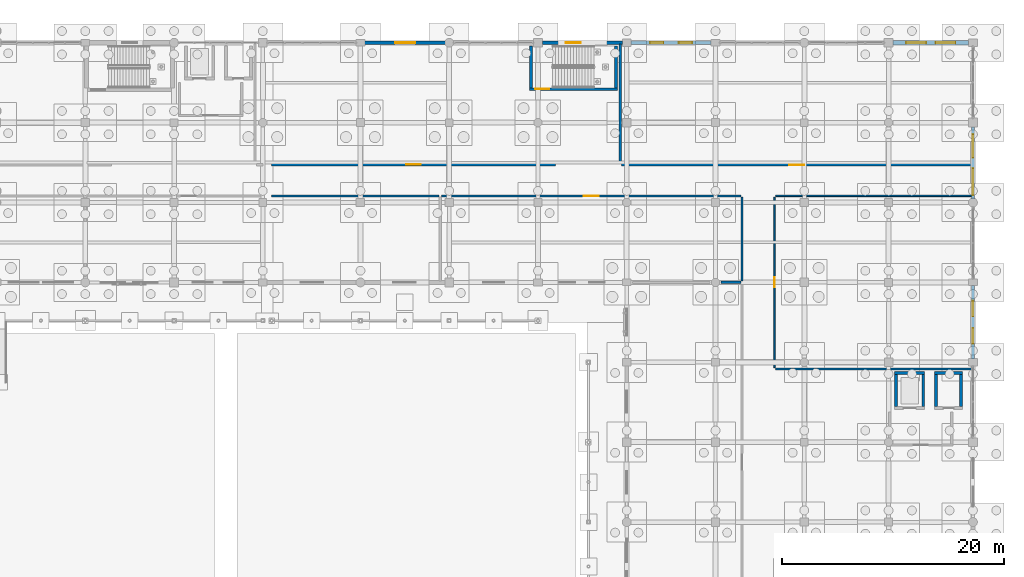
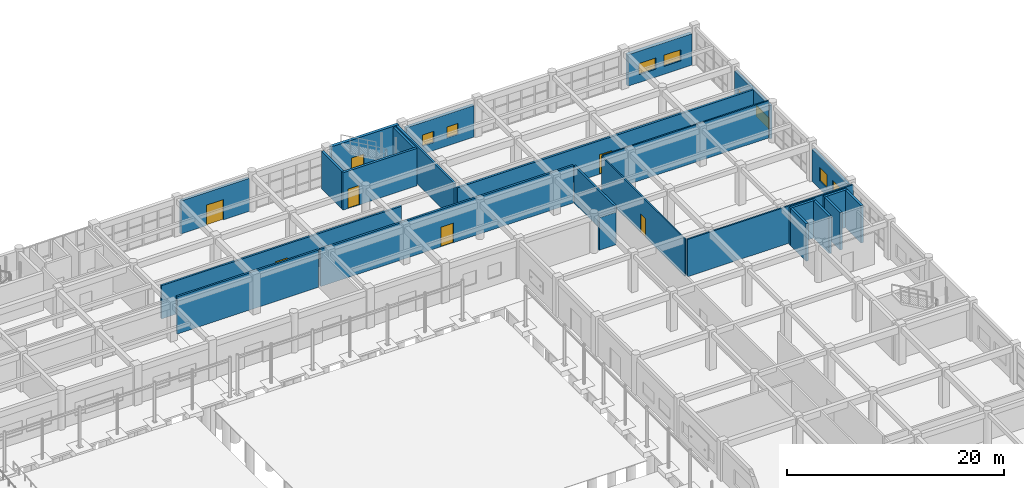
# One storey, part 141 of 166: 25 walls, 8 windows, 7 doors, 15 openings.
"""IFC4 building model written with IfcOpenShell, lengths in metres."""

from ifc_helpers import new_model, si_unit, direction, frame, frame_2d, origin, place, context, subcontext, project, spatial, rectangle, extrude, material, layer, layer_set, type_object, element, fill, save


model = new_model("IFC4")

# Units and contexts
model_context = context("Model", 3, precision=1e-05, world=origin(), true_north=direction((0.0, 1.0)))
body_context = subcontext(model_context, "Body", "Model", "MODEL_VIEW")
ifc_project = project(units=[si_unit("LENGTHUNIT", "METRE"), si_unit("AREAUNIT", "SQUARE_METRE"), si_unit("VOLUMEUNIT", "CUBIC_METRE"), si_unit("PLANEANGLEUNIT", "RADIAN"), si_unit("MASSUNIT", "GRAM", prefix="KILO")], contexts=[model_context])

# Site, building, storey
site_placement = place(None, origin())
site = spatial("IfcSite", under=ifc_project, at=site_placement, CompositionType="ELEMENT")
building_placement = place(site_placement, origin())
building = spatial("IfcBuilding", under=site, at=building_placement, Name="Kharva Crest Polytechnic", CompositionType="ELEMENT")
storey_placement = place(building_placement, origin())
storey = spatial("IfcBuildingStorey", under=building, at=storey_placement, Name="L00", CompositionType="ELEMENT", Elevation=0.0)

# Wall, openings, windows
ifc_material_1 = material(Name="Kiln brick masonry", Category="masonry")
ifc_layer_1 = layer(ifc_material_1, 0.260009765625, Name="Kiln brick masonry")
ifc_layer_set_1 = layer_set([ifc_layer_1], Name="Kiln brick masonry")
wall_type_1 = type_object("IfcWallType", Name="WL-EXT-BRK-260", PredefinedType="SOLIDWALL", material=ifc_layer_set_1)
wall_1_placement = place(storey_placement, frame((184.0, 107.93603515625, 0.0), z_axis=(0.0, 0.0, 1.0), x_axis=(0.0, 1.0, 0.0)))
wall_1 = element("IfcWall", 1, at=wall_1_placement, inside=storey, type_object=wall_type_1, Name="L00 Exterior Brick Wall 108", PredefinedType="SOLIDWALL", context=body_context, shape_type="SweptSolid", body=[
    extrude(rectangle(XDim=6.468994140625, YDim=0.260009765625, at=frame_2d((3.234375, 0.0))), origin(), (0.0, 0.0, 1.0), 3.760009765625),
])
opening_1_placement = place(wall_1_placement, frame((0.33203125, 0.0, 0.89990234375)))
opening_1 = element("IfcOpeningElement", 2, at=opening_1_placement, cuts=wall_1, Name="Opening W17", PredefinedType="OPENING", context=body_context, shape_type="SweptSolid", body=[
    extrude(rectangle(XDim=2.39990234375, YDim=1.25, at=frame_2d((1.199951171875, 0.625))), frame((0.0, 0.139892578125, 0.0), z_axis=(0.0, -1.0, 0.0), x_axis=(1.0, 0.0, 0.0)), (0.0, 0.0, 1.0), 0.280029296875),
])
opening_2_placement = place(wall_1_placement, frame((3.716064453125, 0.0, 0.89990234375)))
opening_2 = element("IfcOpeningElement", 3, at=opening_2_placement, cuts=wall_1, Name="Opening W18", PredefinedType="OPENING", context=body_context, shape_type="SweptSolid", body=[
    extrude(rectangle(XDim=2.10009765625, YDim=1.25, at=frame_2d((1.050048828125, 0.625))), frame((0.0, 0.139892578125, 0.0), z_axis=(0.0, -1.0, 0.0), x_axis=(1.0, 0.0, 0.0)), (0.0, 0.0, 1.0), 0.280029296875),
])
ifc_material_2 = material(Name="Anodised aluminium", Category="aluminium")
window_type_1 = type_object("IfcWindowType", Name="WIN-ALU-2100X1250", PartitioningType="SINGLE_PANEL", PredefinedType="WINDOW", material=ifc_material_2)
window_1_placement = place(opening_2_placement, origin())
window_1 = element("IfcWindow", 4, at=window_1_placement, inside=storey, type_object=window_type_1, Name="L00 Exterior Window 137", OverallHeight=1.25, OverallWidth=2.10009765625, PartitioningType="SINGLE_PANEL", PredefinedType="WINDOW", context=body_context, shape_type="SweptSolid", body=[
    extrude(rectangle(XDim=2.10009765625, YDim=1.25, at=frame_2d((1.050048828125, 0.625))), frame((0.0, 0.030029296875, 0.0), z_axis=(0.0, -1.0, 0.0), x_axis=(1.0, 0.0, 0.0)), (0.0, 0.0, 1.0), 0.06005859375),
])
fill(opening_2, window_1)
window_type_2 = type_object("IfcWindowType", Name="WIN-ALU-2400X1250", PartitioningType="SINGLE_PANEL", PredefinedType="WINDOW", material=ifc_material_2)
window_2_placement = place(opening_1_placement, origin())
window_2 = element("IfcWindow", 5, at=window_2_placement, inside=storey, type_object=window_type_2, Name="L00 Exterior Window 136", OverallHeight=1.25, OverallWidth=2.39990234375, PartitioningType="SINGLE_PANEL", PredefinedType="WINDOW", context=body_context, shape_type="SweptSolid", body=[
    extrude(rectangle(XDim=2.39990234375, YDim=1.25, at=frame_2d((1.199951171875, 0.625))), frame((0.0, 0.030029296875, 0.0), z_axis=(0.0, -1.0, 0.0), x_axis=(1.0, 0.0, 0.0)), (0.0, 0.0, 1.0), 0.06005859375),
])
fill(opening_1, window_2)

# Wall, opening, door
ifc_layer_2 = layer(ifc_material_1, 0.27490234375, Name="Kiln brick masonry")
ifc_layer_set_2 = layer_set([ifc_layer_2], Name="Kiln brick masonry")
wall_type_2 = type_object("IfcWallType", Name="WL-EXT-BRK-275", PredefinedType="SOLIDWALL", material=ifc_layer_set_2)
wall_2_placement = place(storey_placement, frame((136.464111328125, 122.0, 0.0), z_axis=(0.0, 0.0, 1.0), x_axis=(-1.0, 0.0, 0.0)))
wall_2 = element("IfcWall", 6, at=wall_2_placement, inside=storey, type_object=wall_type_2, Name="L00 Exterior Brick Wall 112", PredefinedType="SOLIDWALL", context=body_context, shape_type="SweptSolid", body=[
    extrude(rectangle(XDim=7.279052734375, YDim=0.27490234375, at=frame_2d((3.6396484375, 0.0))), origin(), (0.0, 0.0, 1.0), 3.719970703125),
])
opening_3_placement = place(wall_2_placement, frame((2.739013671875, 0.0, 0.0)))
opening_3 = element("IfcOpeningElement", 7, at=opening_3_placement, cuts=wall_2, Name="Opening ED4", PredefinedType="OPENING", context=body_context, shape_type="SweptSolid", body=[
    extrude(rectangle(XDim=1.800048828125, YDim=2.300048828125, at=frame_2d((0.89990234375, 1.14990234375))), frame((0.0, 0.1474609375, 0.0), z_axis=(0.0, -1.0, 0.0), x_axis=(1.0, 0.0, 0.0)), (0.0, 0.0, 1.0), 0.294921875),
])
door_type_1 = type_object("IfcDoorType", Name="DR-EXT-DBL-1800X2300", OperationType="NOTDEFINED", PredefinedType="DOOR", material=ifc_material_2)
door_1_placement = place(opening_3_placement, frame((1.800048828125, 0.0, 0.0), z_axis=(0.0, 0.0, 1.0), x_axis=(-1.0, 0.0, 0.0)))
door_1 = element("IfcDoor", 8, at=door_1_placement, inside=storey, type_object=door_type_1, Name="L00 Campus Entrance Door 27", OperationType="DOUBLE_DOOR_SINGLE_SWING", OverallHeight=2.300048828125, OverallWidth=1.800048828125, PredefinedType="DOOR", context=body_context, shape_type="SweptSolid", body=[
    extrude(rectangle(XDim=1.800048828125, YDim=2.300048828125, at=frame_2d((0.89990234375, 1.14990234375))), frame((0.0, 0.02490234375, 0.0), z_axis=(0.0, -1.0, 0.0), x_axis=(1.0, 0.0, 0.0)), (0.0, 0.0, 1.0), 0.050048828125),
])
fill(opening_3, door_1)

# Wall, openings, windows
ifc_layer_3 = layer(ifc_material_1, 0.2900390625, Name="Kiln brick masonry")
ifc_layer_set_3 = layer_set([ifc_layer_3], Name="Kiln brick masonry")
wall_type_3 = type_object("IfcWallType", Name="WL-EXT-BRK-290", PredefinedType="SOLIDWALL", material=ifc_layer_set_3)
wall_3_placement = place(storey_placement, frame((184.0, 93.52001953125, 0.0), z_axis=(0.0, 0.0, 1.0), x_axis=(0.0, 1.0, 0.0)))
wall_3 = element("IfcWall", 9, at=wall_3_placement, inside=storey, type_object=wall_type_3, Name="L00 Exterior Brick Wall 107", PredefinedType="SOLIDWALL", context=body_context, shape_type="SweptSolid", body=[
    extrude(rectangle(XDim=6.5849609375, YDim=0.2900390625, at=frame_2d((3.29248046875, 0.0))), origin(), (0.0, 0.0, 1.0), 3.639892578125),
])
opening_4_placement = place(wall_3_placement, frame((1.367919921875, 0.0, 0.89990234375)))
opening_4 = element("IfcOpeningElement", 10, at=opening_4_placement, cuts=wall_3, Name="Opening W15", PredefinedType="OPENING", context=body_context, shape_type="SweptSolid", body=[
    extrude(rectangle(XDim=1.39990234375, YDim=1.5, at=frame_2d((0.699951171875, 0.75))), frame((0.0, 0.155029296875, 0.0), z_axis=(0.0, -1.0, 0.0), x_axis=(1.0, 0.0, 0.0)), (0.0, 0.0, 1.0), 0.31005859375),
])
opening_5_placement = place(wall_3_placement, frame((3.81689453125, 0.0, 0.89990234375)))
opening_5 = element("IfcOpeningElement", 11, at=opening_5_placement, cuts=wall_3, Name="Opening W15", PredefinedType="OPENING", context=body_context, shape_type="SweptSolid", body=[
    extrude(rectangle(XDim=1.39990234375, YDim=1.5, at=frame_2d((0.699951171875, 0.75))), frame((0.0, 0.155029296875, 0.0), z_axis=(0.0, -1.0, 0.0), x_axis=(1.0, 0.0, 0.0)), (0.0, 0.0, 1.0), 0.31005859375),
])
window_type_3 = type_object("IfcWindowType", Name="WIN-ALU-1400X1500", PartitioningType="SINGLE_PANEL", PredefinedType="WINDOW", material=ifc_material_2)
window_3_placement = place(opening_4_placement, origin())
window_3 = element("IfcWindow", 12, at=window_3_placement, inside=storey, type_object=window_type_3, Name="L00 Exterior Window 134", OverallHeight=1.5, OverallWidth=1.39990234375, PartitioningType="SINGLE_PANEL", PredefinedType="WINDOW", context=body_context, shape_type="SweptSolid", body=[
    extrude(rectangle(XDim=1.39990234375, YDim=1.5, at=frame_2d((0.699951171875, 0.75))), frame((0.0, 0.030029296875, 0.0), z_axis=(0.0, -1.0, 0.0), x_axis=(1.0, 0.0, 0.0)), (0.0, 0.0, 1.0), 0.06005859375),
])
fill(opening_4, window_3)
window_4_placement = place(opening_5_placement, origin())
window_4 = element("IfcWindow", 13, at=window_4_placement, inside=storey, type_object=window_type_3, Name="L00 Exterior Window 135", OverallHeight=1.5, OverallWidth=1.39990234375, PartitioningType="SINGLE_PANEL", PredefinedType="WINDOW", context=body_context, shape_type="SweptSolid", body=[
    extrude(rectangle(XDim=1.39990234375, YDim=1.5, at=frame_2d((0.699951171875, 0.75))), frame((0.0, 0.030029296875, 0.0), z_axis=(0.0, -1.0, 0.0), x_axis=(1.0, 0.0, 0.0)), (0.0, 0.0, 1.0), 0.06005859375),
])
fill(opening_5, window_4)

# Wall, opening, door
ifc_layer_4 = layer(ifc_material_1, 0.304931640625, Name="Kiln brick masonry")
ifc_layer_set_4 = layer_set([ifc_layer_4], Name="Kiln brick masonry")
wall_type_4 = type_object("IfcWallType", Name="WL-EXT-BRK-305", PredefinedType="SOLIDWALL", material=ifc_layer_set_4)
wall_4_placement = place(storey_placement, frame((152.405029296875, 122.0, 0.0), z_axis=(0.0, 0.0, 1.0), x_axis=(-1.0, 0.0, 0.0)))
wall_4 = element("IfcWall", 14, at=wall_4_placement, inside=storey, type_object=wall_type_4, Name="L00 Exterior Brick Wall 111", PredefinedType="SOLIDWALL", context=body_context, shape_type="SweptSolid", body=[
    extrude(rectangle(XDim=7.2099609375, YDim=0.304931640625, at=frame_2d((3.60498046875, 0.0))), origin(), (0.0, 0.0, 1.0), 4.219970703125),
])
opening_6_placement = place(wall_4_placement, frame((3.72998046875, 0.0, 0.0)))
opening_6 = element("IfcOpeningElement", 15, at=opening_6_placement, cuts=wall_4, Name="Opening ED6", PredefinedType="OPENING", context=body_context, shape_type="SweptSolid", body=[
    extrude(rectangle(XDim=1.35009765625, YDim=2.199951171875, at=frame_2d((0.675048828125, 1.10009765625))), frame((0.0, 0.162353515625, 0.0), z_axis=(0.0, -1.0, 0.0), x_axis=(1.0, 0.0, 0.0)), (0.0, 0.0, 1.0), 0.324951171875),
])
door_type_2 = type_object("IfcDoorType", Name="DR-EXT-ESC-1350X2200", OperationType="NOTDEFINED", PredefinedType="DOOR", material=ifc_material_2)
door_2_placement = place(opening_6_placement, frame((1.35009765625, 0.0, 0.0), z_axis=(0.0, 0.0, 1.0), x_axis=(-1.0, 0.0, 0.0)))
door_2 = element("IfcDoor", 16, at=door_2_placement, inside=storey, type_object=door_type_2, Name="L00 Core C9 Final Exit Door", OperationType="SINGLE_SWING_RIGHT", OverallHeight=2.199951171875, OverallWidth=1.35009765625, PredefinedType="DOOR", context=body_context, shape_type="SweptSolid", body=[
    extrude(rectangle(XDim=1.35009765625, YDim=2.199951171875, at=frame_2d((0.675048828125, 1.10009765625))), frame((0.0, 0.02490234375, 0.0), z_axis=(0.0, -1.0, 0.0), x_axis=(1.0, 0.0, 0.0)), (0.0, 0.0, 1.0), 0.050048828125),
])
fill(opening_6, door_2)

# Wall, openings, windows
ifc_layer_5 = layer(ifc_material_1, 0.320068359375, Name="Kiln brick masonry")
ifc_layer_set_5 = layer_set([ifc_layer_5], Name="Kiln brick masonry")
wall_type_5 = type_object("IfcWallType", Name="WL-EXT-BRK-320", PredefinedType="SOLIDWALL", material=ifc_layer_set_5)
wall_5_placement = place(storey_placement, frame((160.4150390625, 122.0, 0.0), z_axis=(0.0, 0.0, 1.0), x_axis=(-1.0, 0.0, 0.0)))
wall_5 = element("IfcWall", 17, at=wall_5_placement, inside=storey, type_object=wall_type_5, Name="L00 Exterior Brick Wall 110", PredefinedType="SOLIDWALL", context=body_context, shape_type="SweptSolid", body=[
    extrude(rectangle(XDim=7.219970703125, YDim=0.320068359375, at=frame_2d((3.60986328125, 0.0))), origin(), (0.0, 0.0, 1.0), 3.570068359375),
])
opening_7_placement = place(wall_5_placement, frame((1.712890625, 0.0, 0.89990234375)))
opening_7 = element("IfcOpeningElement", 18, at=opening_7_placement, cuts=wall_5, Name="Opening W21", PredefinedType="OPENING", context=body_context, shape_type="SweptSolid", body=[
    extrude(rectangle(XDim=1.199951171875, YDim=1.25, at=frame_2d((0.60009765625, 0.625))), frame((0.0, 0.169921875, 0.0), z_axis=(0.0, -1.0, 0.0), x_axis=(1.0, 0.0, 0.0)), (0.0, 0.0, 1.0), 0.340087890625),
])
opening_8_placement = place(wall_5_placement, frame((4.306884765625, 0.0, 0.89990234375)))
opening_8 = element("IfcOpeningElement", 19, at=opening_8_placement, cuts=wall_5, Name="Opening W21", PredefinedType="OPENING", context=body_context, shape_type="SweptSolid", body=[
    extrude(rectangle(XDim=1.199951171875, YDim=1.25, at=frame_2d((0.60009765625, 0.625))), frame((0.0, 0.169921875, 0.0), z_axis=(0.0, -1.0, 0.0), x_axis=(1.0, 0.0, 0.0)), (0.0, 0.0, 1.0), 0.340087890625),
])
window_type_4 = type_object("IfcWindowType", Name="WIN-ALU-1200X1250", PartitioningType="SINGLE_PANEL", PredefinedType="WINDOW", material=ifc_material_2)
window_5_placement = place(opening_7_placement, origin())
window_5 = element("IfcWindow", 20, at=window_5_placement, inside=storey, type_object=window_type_4, Name="L00 Exterior Window 140", OverallHeight=1.25, OverallWidth=1.199951171875, PartitioningType="SINGLE_PANEL", PredefinedType="WINDOW", context=body_context, shape_type="SweptSolid", body=[
    extrude(rectangle(XDim=1.199951171875, YDim=1.25, at=frame_2d((0.60009765625, 0.625))), frame((0.0, 0.030029296875, 0.0), z_axis=(0.0, -1.0, 0.0), x_axis=(1.0, 0.0, 0.0)), (0.0, 0.0, 1.0), 0.06005859375),
])
fill(opening_7, window_5)
window_6_placement = place(opening_8_placement, origin())
window_6 = element("IfcWindow", 21, at=window_6_placement, inside=storey, type_object=window_type_4, Name="L00 Exterior Window 141", OverallHeight=1.25, OverallWidth=1.199951171875, PartitioningType="SINGLE_PANEL", PredefinedType="WINDOW", context=body_context, shape_type="SweptSolid", body=[
    extrude(rectangle(XDim=1.199951171875, YDim=1.25, at=frame_2d((0.60009765625, 0.625))), frame((0.0, 0.030029296875, 0.0), z_axis=(0.0, -1.0, 0.0), x_axis=(1.0, 0.0, 0.0)), (0.0, 0.0, 1.0), 0.06005859375),
])
fill(opening_8, window_6)

ifc_layer_6 = layer(ifc_material_1, 0.364990234375, Name="Kiln brick masonry")
ifc_layer_set_6 = layer_set([ifc_layer_6], Name="Kiln brick masonry")
wall_type_6 = type_object("IfcWallType", Name="WL-EXT-BRK-365", PredefinedType="SOLIDWALL", material=ifc_layer_set_6)
wall_6_placement = place(storey_placement, frame((183.60498046875, 122.0, 0.0), z_axis=(0.0, 0.0, 1.0), x_axis=(-1.0, 0.0, 0.0)))
wall_6 = element("IfcWall", 22, at=wall_6_placement, inside=storey, type_object=wall_type_6, Name="L00 Exterior Brick Wall 109", PredefinedType="SOLIDWALL", context=body_context, shape_type="SweptSolid", body=[
    extrude(rectangle(XDim=6.81005859375, YDim=0.364990234375, at=frame_2d((3.405029296875, 0.0))), origin(), (0.0, 0.0, 1.0), 3.5400390625),
])
opening_9_placement = place(wall_6_placement, frame((1.177001953125, 0.0, 0.89990234375)))
opening_9 = element("IfcOpeningElement", 23, at=opening_9_placement, cuts=wall_6, Name="Opening W19", PredefinedType="OPENING", context=body_context, shape_type="SweptSolid", body=[
    extrude(rectangle(XDim=1.800048828125, YDim=1.25, at=frame_2d((0.89990234375, 0.625))), frame((0.0, 0.1923828125, 0.0), z_axis=(0.0, -1.0, 0.0), x_axis=(1.0, 0.0, 0.0)), (0.0, 0.0, 1.0), 0.385009765625),
])
opening_10_placement = place(wall_6_placement, frame((3.8330078125, 0.0, 0.89990234375)))
opening_10 = element("IfcOpeningElement", 24, at=opening_10_placement, cuts=wall_6, Name="Opening W19", PredefinedType="OPENING", context=body_context, shape_type="SweptSolid", body=[
    extrude(rectangle(XDim=1.800048828125, YDim=1.25, at=frame_2d((0.89990234375, 0.625))), frame((0.0, 0.1923828125, 0.0), z_axis=(0.0, -1.0, 0.0), x_axis=(1.0, 0.0, 0.0)), (0.0, 0.0, 1.0), 0.385009765625),
])
window_type_5 = type_object("IfcWindowType", Name="WIN-ALU-1800X1250", PartitioningType="SINGLE_PANEL", PredefinedType="WINDOW", material=ifc_material_2)
window_7_placement = place(opening_9_placement, origin())
window_7 = element("IfcWindow", 25, at=window_7_placement, inside=storey, type_object=window_type_5, Name="L00 Exterior Window 138", OverallHeight=1.25, OverallWidth=1.800048828125, PartitioningType="SINGLE_PANEL", PredefinedType="WINDOW", context=body_context, shape_type="SweptSolid", body=[
    extrude(rectangle(XDim=1.800048828125, YDim=1.25, at=frame_2d((0.89990234375, 0.625))), frame((0.0, 0.030029296875, 0.0), z_axis=(0.0, -1.0, 0.0), x_axis=(1.0, 0.0, 0.0)), (0.0, 0.0, 1.0), 0.06005859375),
])
fill(opening_9, window_7)
window_8_placement = place(opening_10_placement, origin())
window_8 = element("IfcWindow", 26, at=window_8_placement, inside=storey, type_object=window_type_5, Name="L00 Exterior Window 139", OverallHeight=1.25, OverallWidth=1.800048828125, PartitioningType="SINGLE_PANEL", PredefinedType="WINDOW", context=body_context, shape_type="SweptSolid", body=[
    extrude(rectangle(XDim=1.800048828125, YDim=1.25, at=frame_2d((0.89990234375, 0.625))), frame((0.0, 0.030029296875, 0.0), z_axis=(0.0, -1.0, 0.0), x_axis=(1.0, 0.0, 0.0)), (0.0, 0.0, 1.0), 0.06005859375),
])
fill(opening_10, window_8)

# Wall
ifc_layer_7 = layer(ifc_material_1, 0.199951171875, Name="Kiln brick masonry")
ifc_layer_set_7 = layer_set([ifc_layer_7], Name="Kiln brick masonry")
wall_type_7 = type_object("IfcWallType", Name="WL-FIRE-FW1-200", PredefinedType="SOLIDWALL", material=ifc_layer_set_7)
wall_7_placement = place(storey_placement, frame((120.800048828125, 108.18994140625, 0.0), z_axis=(0.0, 0.0, 1.0), x_axis=(1.0, 0.0, 0.0)))
element("IfcWall", 27, at=wall_7_placement, inside=storey, type_object=wall_type_7, Name="L00 Interior Partition 93 E", PredefinedType="SOLIDWALL", context=body_context, shape_type="SweptSolid", body=[
    extrude(rectangle(XDim=15.08984375, YDim=0.199951171875, at=frame_2d((7.544921875, 0.0))), origin(), (0.0, 0.0, 1.0), 4.199951171875),
])

# Wall, opening, door
wall_8_placement = place(storey_placement, frame((120.800048828125, 111.010009765625, 0.0), z_axis=(0.0, 0.0, 1.0), x_axis=(1.0, 0.0, 0.0)))
wall_8 = element("IfcWall", 28, at=wall_8_placement, inside=storey, type_object=wall_type_7, Name="L00 Interior Partition 102 E", PredefinedType="SOLIDWALL", context=body_context, shape_type="SweptSolid", body=[
    extrude(rectangle(XDim=25.579833984375, YDim=0.199951171875, at=frame_2d((12.7900390625, 0.0))), origin(), (0.0, 0.0, 1.0), 3.760009765625),
])
opening_11_placement = place(wall_8_placement, frame((12.14990234375, 0.0, 0.0)))
opening_11 = element("IfcOpeningElement", 29, at=opening_11_placement, cuts=wall_8, Name="Opening ID7", PredefinedType="OPENING", context=body_context, shape_type="SweptSolid", body=[
    extrude(rectangle(XDim=1.280029296875, YDim=2.199951171875, at=frame_2d((0.64013671875, 1.10009765625))), frame((0.0, 0.10986328125, 0.0), z_axis=(0.0, -1.0, 0.0), x_axis=(1.0, 0.0, 0.0)), (0.0, 0.0, 1.0), 0.219970703125),
])
ifc_material_3 = material(Name="Teak timber", Category="wood")
door_type_3 = type_object("IfcDoorType", Name="DR-LAB-1280X2200", OperationType="NOTDEFINED", PredefinedType="DOOR", material=ifc_material_3)
door_3_placement = place(opening_11_placement, origin())
door_3 = element("IfcDoor", 30, at=door_3_placement, inside=storey, type_object=door_type_3, Name="L00 Environmental Water Quality Laboratory Door", OperationType="SINGLE_SWING_RIGHT", OverallHeight=2.199951171875, OverallWidth=1.280029296875, PredefinedType="DOOR", context=body_context, shape_type="SweptSolid", body=[
    extrude(rectangle(XDim=1.280029296875, YDim=2.199951171875, at=frame_2d((0.64013671875, 1.10009765625))), frame((0.0, 0.02490234375, 0.0), z_axis=(0.0, -1.0, 0.0), x_axis=(1.0, 0.0, 0.0)), (0.0, 0.0, 1.0), 0.050048828125),
])
fill(opening_11, door_3)

ifc_layer_8 = layer(ifc_material_1, 0.139892578125, Name="Kiln brick masonry")
ifc_layer_set_8 = layer_set([ifc_layer_8], Name="Kiln brick masonry")
wall_type_8 = type_object("IfcWallType", Name="WL-PART-140", PredefinedType="PARTITIONING", material=ifc_layer_set_8)
wall_9_placement = place(storey_placement, frame((166.110107421875, 92.7099609375, 0.0), z_axis=(0.0, 0.0, 1.0), x_axis=(0.0, 1.0, 0.0)))
wall_9 = element("IfcWall", 31, at=wall_9_placement, inside=storey, type_object=wall_type_8, Name="L00 Interior Partition 114", PredefinedType="PARTITIONING", context=body_context, shape_type="SweptSolid", body=[
    extrude(rectangle(XDim=15.380126953125, YDim=0.139892578125, at=frame_2d((7.68994140625, 0.0))), origin(), (0.0, 0.0, 1.0), 4.199951171875),
])
opening_12_placement = place(wall_9_placement, frame((7.235107421875, 0.0, 0.0)))
opening_12 = element("IfcOpeningElement", 32, at=opening_12_placement, cuts=wall_9, Name="Opening ID15", PredefinedType="OPENING", context=body_context, shape_type="SweptSolid", body=[
    extrude(rectangle(XDim=0.909912109375, YDim=2.10009765625, at=frame_2d((0.455078125, 1.050048828125))), frame((0.0, 0.079833984375, 0.0), z_axis=(0.0, -1.0, 0.0), x_axis=(1.0, 0.0, 0.0)), (0.0, 0.0, 1.0), 0.159912109375),
])
door_type_4 = type_object("IfcDoorType", Name="DR-WC-910X2100", OperationType="NOTDEFINED", PredefinedType="DOOR", material=ifc_material_3)
door_4_placement = place(opening_12_placement, origin())
door_4 = element("IfcDoor", 33, at=door_4_placement, inside=storey, type_object=door_type_4, Name="L00 East Wing Male Female and Accessible WC L00 Door", OperationType="SINGLE_SWING_RIGHT", OverallHeight=2.10009765625, OverallWidth=0.909912109375, PredefinedType="DOOR", context=body_context, shape_type="SweptSolid", body=[
    extrude(rectangle(XDim=0.909912109375, YDim=2.10009765625, at=frame_2d((0.455078125, 1.050048828125))), frame((0.0, 0.02490234375, 0.0), z_axis=(0.0, -1.0, 0.0), x_axis=(1.0, 0.0, 0.0)), (0.0, 0.0, 1.0), 0.050048828125),
])
fill(opening_12, door_4)

# Walls
ifc_layer_9 = layer(ifc_material_1, 0.14990234375, Name="Kiln brick masonry")
ifc_layer_set_9 = layer_set([ifc_layer_9], Name="Kiln brick masonry")
wall_type_9 = type_object("IfcWallType", Name="WL-PART-150", PredefinedType="PARTITIONING", material=ifc_layer_set_9)
wall_10_placement = place(storey_placement, frame((166.219970703125, 108.199951171875, 0.0), z_axis=(0.0, 0.0, 1.0), x_axis=(1.0, 0.0, 0.0)))
element("IfcWall", 34, at=wall_10_placement, inside=storey, type_object=wall_type_9, Name="L00 Interior Partition 113", PredefinedType="PARTITIONING", context=body_context, shape_type="SweptSolid", body=[
    extrude(rectangle(XDim=17.669921875, YDim=0.14990234375, at=frame_2d((8.8349609375, 0.0))), origin(), (0.0, 0.0, 1.0), 4.199951171875),
])
ifc_layer_10 = layer(ifc_material_1, 0.159912109375, Name="Kiln brick masonry")
ifc_layer_set_10 = layer_set([ifc_layer_10], Name="Kiln brick masonry")
wall_type_10 = type_object("IfcWallType", Name="WL-PART-160", PredefinedType="PARTITIONING", material=ifc_layer_set_10)
wall_11_placement = place(storey_placement, frame((166.219970703125, 92.60009765625, 0.0), z_axis=(0.0, 0.0, 1.0), x_axis=(1.0, 0.0, 0.0)))
element("IfcWall", 35, at=wall_11_placement, inside=storey, type_object=wall_type_10, Name="L00 Interior Partition 112", PredefinedType="PARTITIONING", context=body_context, shape_type="SweptSolid", body=[
    extrude(rectangle(XDim=17.669921875, YDim=0.159912109375, at=frame_2d((8.8349609375, 0.0))), origin(), (0.0, 0.0, 1.0), 4.199951171875),
])
ifc_layer_11 = layer(ifc_material_1, 0.205078125, Name="Kiln brick masonry")
ifc_layer_set_11 = layer_set([ifc_layer_11], Name="Kiln brick masonry")
wall_type_11 = type_object("IfcWallType", Name="WL-PART-205", PredefinedType="PARTITIONING", material=ifc_layer_set_11)
wall_12_placement = place(storey_placement, frame((163.18994140625, 100.510009765625, 0.0), z_axis=(0.0, 0.0, 1.0), x_axis=(0.0, 1.0, 0.0)))
element("IfcWall", 36, at=wall_12_placement, inside=storey, type_object=wall_type_11, Name="L00 Interior Partition 98", PredefinedType="PARTITIONING", context=body_context, shape_type="SweptSolid", body=[
    extrude(rectangle(XDim=7.570068359375, YDim=0.205078125, at=frame_2d((3.78515625, 0.0))), origin(), (0.0, 0.0, 1.0), 4.199951171875),
])

# Wall, opening, door
ifc_layer_12 = layer(ifc_material_1, 0.215087890625, Name="Kiln brick masonry")
ifc_layer_set_12 = layer_set([ifc_layer_12], Name="Kiln brick masonry")
wall_type_12 = type_object("IfcWallType", Name="WL-PART-215", PredefinedType="PARTITIONING", material=ifc_layer_set_12)
wall_13_placement = place(storey_placement, frame((136.1201171875, 108.18994140625, 0.0), z_axis=(0.0, 0.0, 1.0), x_axis=(1.0, 0.0, 0.0)))
wall_13 = element("IfcWall", 37, at=wall_13_placement, inside=storey, type_object=wall_type_12, Name="L00 Interior Partition 97", PredefinedType="PARTITIONING", context=body_context, shape_type="SweptSolid", body=[
    extrude(rectangle(XDim=26.9599609375, YDim=0.215087890625, at=frame_2d((13.47998046875, 0.0))), origin(), (0.0, 0.0, 1.0), 4.199951171875),
])
opening_13_placement = place(wall_13_placement, frame((12.804931640625, 0.0, 0.0)))
opening_13 = element("IfcOpeningElement", 38, at=opening_13_placement, cuts=wall_13, Name="Opening ID6", PredefinedType="OPENING", context=body_context, shape_type="SweptSolid", body=[
    extrude(rectangle(XDim=1.35009765625, YDim=2.199951171875, at=frame_2d((0.675048828125, 1.10009765625))), frame((0.0, 0.117431640625, 0.0), z_axis=(0.0, -1.0, 0.0), x_axis=(1.0, 0.0, 0.0)), (0.0, 0.0, 1.0), 0.235107421875),
])
door_type_5 = type_object("IfcDoorType", Name="DR-LAB-1350X2200", OperationType="NOTDEFINED", PredefinedType="DOOR", material=ifc_material_3)
door_5_placement = place(opening_13_placement, origin())
door_5 = element("IfcDoor", 39, at=door_5_placement, inside=storey, type_object=door_type_5, Name="L00 Surveying and Geomatics Laboratory Door", OperationType="SINGLE_SWING_LEFT", OverallHeight=2.199951171875, OverallWidth=1.35009765625, PredefinedType="DOOR", context=body_context, shape_type="SweptSolid", body=[
    extrude(rectangle(XDim=1.35009765625, YDim=2.199951171875, at=frame_2d((0.675048828125, 1.10009765625))), frame((0.0, 0.02490234375, 0.0), z_axis=(0.0, -1.0, 0.0), x_axis=(1.0, 0.0, 0.0)), (0.0, 0.0, 1.0), 0.050048828125),
])
fill(opening_13, door_5)

# Walls
wall_14_placement = place(storey_placement, frame((152.199951171875, 111.110107421875, 0.0), z_axis=(0.0, 0.0, 1.0), x_axis=(0.0, 1.0, 0.0)))
element("IfcWall", 40, at=wall_14_placement, inside=storey, type_object=wall_type_12, Name="L00 Interior Partition 105", PredefinedType="PARTITIONING", context=body_context, shape_type="SweptSolid", body=[
    extrude(rectangle(XDim=10.77978515625, YDim=0.215087890625, at=frame_2d((5.389892578125, 0.0))), origin(), (0.0, 0.0, 1.0), 4.199951171875),
])
ifc_layer_13 = layer(ifc_material_1, 0.22509765625, Name="Kiln brick masonry")
ifc_layer_set_13 = layer_set([ifc_layer_13], Name="Kiln brick masonry")
wall_type_13 = type_object("IfcWallType", Name="WL-PART-225", PredefinedType="PARTITIONING", material=ifc_layer_set_13)
wall_15_placement = place(storey_placement, frame((161.304931640625, 100.39990234375, 0.0), z_axis=(0.0, 0.0, 1.0), x_axis=(1.0, 0.0, 0.0)))
element("IfcWall", 41, at=wall_15_placement, inside=storey, type_object=wall_type_13, Name="L00 Interior Partition 96", PredefinedType="PARTITIONING", context=body_context, shape_type="SweptSolid", body=[
    extrude(rectangle(XDim=1.775146484375, YDim=0.22509765625, at=frame_2d((0.8876953125, 0.0))), origin(), (0.0, 0.0, 1.0), 3.669921875),
])

# Wall, opening, door
wall_16_placement = place(storey_placement, frame((152.31005859375, 111.0, 0.0), z_axis=(0.0, 0.0, 1.0), x_axis=(1.0, 0.0, 0.0)))
wall_16 = element("IfcWall", 42, at=wall_16_placement, inside=storey, type_object=wall_type_13, Name="L00 Interior Partition 104", PredefinedType="PARTITIONING", context=body_context, shape_type="SweptSolid", body=[
    extrude(rectangle(XDim=31.579833984375, YDim=0.22509765625, at=frame_2d((15.7900390625, 0.0))), origin(), (0.0, 0.0, 1.0), 3.760009765625),
])
opening_14_placement = place(wall_16_placement, frame((15.114990234375, 0.0, 0.0)))
opening_14 = element("IfcOpeningElement", 43, at=opening_14_placement, cuts=wall_16, Name="Opening ID6", PredefinedType="OPENING", context=body_context, shape_type="SweptSolid", body=[
    extrude(rectangle(XDim=1.35009765625, YDim=2.199951171875, at=frame_2d((0.675048828125, 1.10009765625))), frame((0.0, 0.12255859375, 0.0), z_axis=(0.0, -1.0, 0.0), x_axis=(1.0, 0.0, 0.0)), (0.0, 0.0, 1.0), 0.2451171875),
])
door_6_placement = place(opening_14_placement, origin())
door_6 = element("IfcDoor", 44, at=door_6_placement, inside=storey, type_object=door_type_5, Name="L00 Thermodynamics Engine Laboratory Door", OperationType="SINGLE_SWING_LEFT", OverallHeight=2.199951171875, OverallWidth=1.35009765625, PredefinedType="DOOR", context=body_context, shape_type="SweptSolid", body=[
    extrude(rectangle(XDim=1.35009765625, YDim=2.199951171875, at=frame_2d((0.675048828125, 1.10009765625))), frame((0.0, 0.02490234375, 0.0), z_axis=(0.0, -1.0, 0.0), x_axis=(1.0, 0.0, 0.0)), (0.0, 0.0, 1.0), 0.050048828125),
])
fill(opening_14, door_6)

# Walls
ifc_material_4 = material(Name="Concrete C40/50", Category="concrete")
ifc_layer_14 = layer(ifc_material_4, 0.25, Name="Concrete C40/50")
ifc_layer_set_14 = layer_set([ifc_layer_14], Name="Concrete C40/50")
wall_type_14 = type_object("IfcWallType", Name="WL-SHEAR-SW1-250", PredefinedType="SHEAR", material=ifc_layer_set_14)
wall_17_placement = place(storey_placement, frame((176.949951171875, 92.22509765625, 0.0), z_axis=(0.0, 0.0, 1.0), x_axis=(1.0, 0.0, 0.0)))
element("IfcWall", 45, at=wall_17_placement, inside=storey, type_object=wall_type_14, Name="L00 Lift FL2 North Shaft Wall", PredefinedType="SHEAR", context=body_context, shape_type="SweptSolid", body=[
    extrude(rectangle(XDim=2.699951171875, YDim=0.25, at=frame_2d((1.35009765625, 0.0))), origin(), (0.0, 0.0, 1.0), 4.219970703125),
])
for number, where, z_axis, x_axis, name in (
    (46, (177.074951171875, 89.199951171875, 0.0), (0.0, 0.0, 1.0), (0.0, 1.0, 0.0), "L00 Lift FL2 West Shaft Wall"),
    (47, (179.52490234375, 89.199951171875, 0.0), (0.0, 0.0, 1.0), (0.0, 1.0, 0.0), "L00 Lift FL2 East Shaft Wall"),
):
    element("IfcWall", number, at=place(storey_placement, frame(where, z_axis=z_axis, x_axis=x_axis)), inside=storey, type_object=wall_type_14, Name=name, PredefinedType="SHEAR", context=body_context, shape_type="SweptSolid", body=[
        extrude(rectangle(XDim=2.900146484375, YDim=0.25, at=frame_2d((1.4501953125, 0.0))), origin(), (0.0, 0.0, 1.0), 4.219970703125),
    ])
wall_18_placement = place(storey_placement, frame((180.550048828125, 92.22509765625, 0.0), z_axis=(0.0, 0.0, 1.0), x_axis=(1.0, 0.0, 0.0)))
element("IfcWall", 48, at=wall_18_placement, inside=storey, type_object=wall_type_14, Name="L00 Core C5 Riser North Wall", PredefinedType="SHEAR", context=body_context, shape_type="SweptSolid", body=[
    extrude(rectangle(XDim=2.5, YDim=0.25, at=frame_2d((1.25, 0.0))), origin(), (0.0, 0.0, 1.0), 4.219970703125),
])
for number, where, z_axis, x_axis, name in (
    (49, (180.675048828125, 89.199951171875, 0.0), (0.0, 0.0, 1.0), (0.0, 1.0, 0.0), "L00 Core C5 Riser West Wall"),
    (50, (182.925048828125, 89.199951171875, 0.0), (0.0, 0.0, 1.0), (0.0, 1.0, 0.0), "L00 Core C5 Riser East Wall"),
):
    element("IfcWall", number, at=place(storey_placement, frame(where, z_axis=z_axis, x_axis=x_axis)), inside=storey, type_object=wall_type_14, Name=name, PredefinedType="SHEAR", context=body_context, shape_type="SweptSolid", body=[
        extrude(rectangle(XDim=2.900146484375, YDim=0.25, at=frame_2d((1.4501953125, 0.0))), origin(), (0.0, 0.0, 1.0), 4.219970703125),
    ])

# Wall, opening, door
wall_19_placement = place(storey_placement, frame((144.050048828125, 117.81494140625, 0.0), z_axis=(0.0, 0.0, 1.0), x_axis=(1.0, 0.0, 0.0)))
wall_19 = element("IfcWall", 51, at=wall_19_placement, inside=storey, type_object=wall_type_14, Name="L00 North-East Library Wing Stair C9 South Shear Wall", PredefinedType="SHEAR", context=body_context, shape_type="SweptSolid", body=[
    extrude(rectangle(XDim=7.89990234375, YDim=0.25, at=frame_2d((3.949951171875, 0.0))), origin(), (0.0, 0.0, 1.0), 4.219970703125),
])
opening_15_placement = place(wall_19_placement, frame((0.5, 0.0, 0.0)))
opening_15 = element("IfcOpeningElement", 52, at=opening_15_placement, cuts=wall_19, Name="Opening FD1B", PredefinedType="OPENING", context=body_context, shape_type="SweptSolid", body=[
    extrude(rectangle(XDim=1.25, YDim=2.199951171875, at=frame_2d((0.625, 1.10009765625))), frame((0.0, 0.135009765625, 0.0), z_axis=(0.0, -1.0, 0.0), x_axis=(1.0, 0.0, 0.0)), (0.0, 0.0, 1.0), 0.27001953125),
])
door_type_6 = type_object("IfcDoorType", Name="DR-STAIR-1250X2200", OperationType="NOTDEFINED", PredefinedType="DOOR", material=ifc_material_3)
door_7_placement = place(opening_15_placement, origin())
door_7 = element("IfcDoor", 53, at=door_7_placement, inside=storey, type_object=door_type_6, Name="L00 ST-09 Stair Door", OperationType="SINGLE_SWING_RIGHT", OverallHeight=2.199951171875, OverallWidth=1.25, PredefinedType="DOOR", context=body_context, shape_type="SweptSolid", body=[
    extrude(rectangle(XDim=1.25, YDim=2.199951171875, at=frame_2d((0.625, 1.10009765625))), frame((0.0, 0.02490234375, 0.0), z_axis=(0.0, -1.0, 0.0), x_axis=(1.0, 0.0, 0.0)), (0.0, 0.0, 1.0), 0.050048828125),
])
fill(opening_15, door_7)

# Walls
for number, where, z_axis, x_axis, name in (
    (54, (144.175048828125, 117.93994140625, 0.0), (0.0, 0.0, 1.0), (0.0, 1.0, 0.0), "L00 North-East Library Wing Stair C9 West Shear Wall"),
    (55, (151.824951171875, 117.93994140625, 0.0), (0.0, 0.0, 1.0), (0.0, 1.0, 0.0), "L00 North-East Library Wing Stair C9 East Shear Wall"),
):
    element("IfcWall", number, at=place(storey_placement, frame(where, z_axis=z_axis, x_axis=x_axis)), inside=storey, type_object=wall_type_14, Name=name, PredefinedType="SHEAR", context=body_context, shape_type="SweptSolid", body=[
        extrude(rectangle(XDim=3.760009765625, YDim=0.25, at=frame_2d((1.8798828125, 0.0))), origin(), (0.0, 0.0, 1.0), 4.219970703125),
    ])

save(model, "model.ifc")
